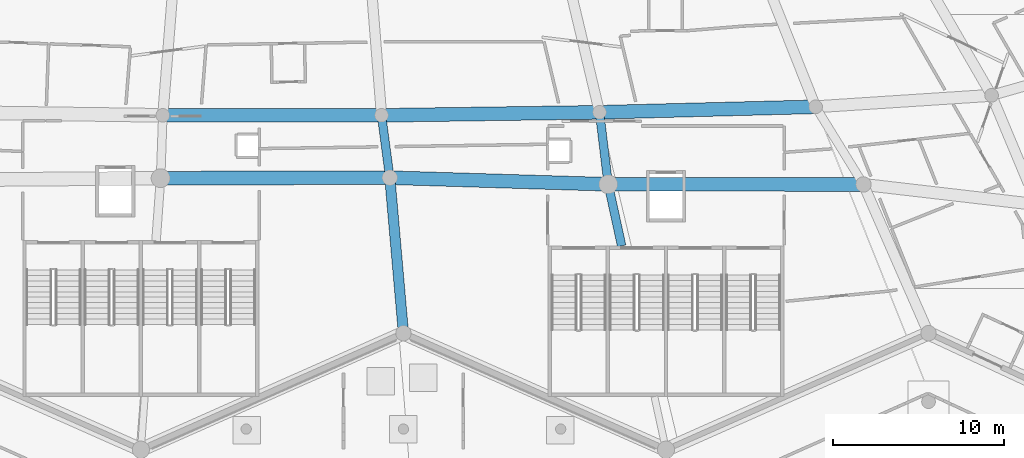
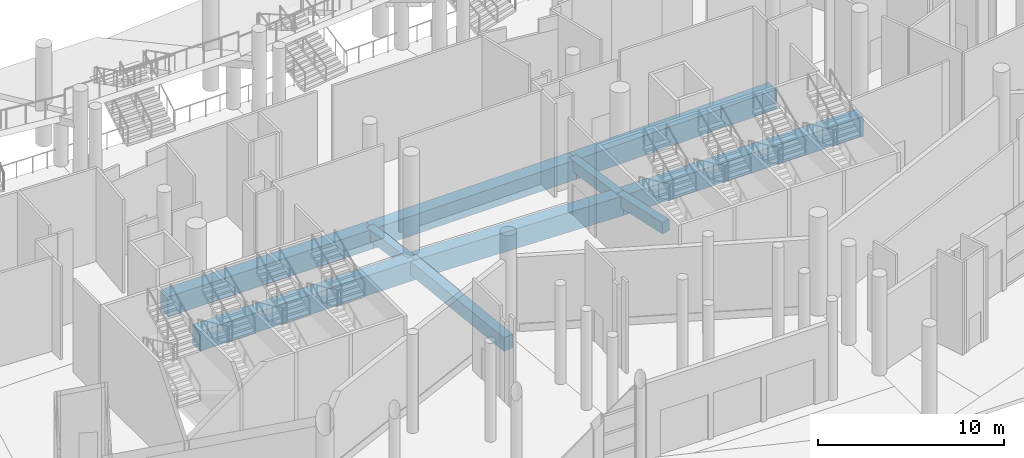
# One storey, part 29 of 255: 10 beams.
"""IFC4 building model written with IfcOpenShell, lengths in metres."""

from ifc_helpers import new_model, si_unit, direction, frame, origin, origin_2d, place, context, subcontext, project, spatial, rectangle, extrude, material, material_profile, profile_set, type_object, element, save


model = new_model("IFC4")

# Units and contexts
model_context = context("Model", 3, precision=1e-05, world=origin(), true_north=direction((0.0, 1.0)))
body_context = subcontext(model_context, "Body", "Model", "MODEL_VIEW")
ifc_project = project(units=[si_unit("LENGTHUNIT", "METRE"), si_unit("AREAUNIT", "SQUARE_METRE"), si_unit("VOLUMEUNIT", "CUBIC_METRE"), si_unit("PLANEANGLEUNIT", "RADIAN"), si_unit("MASSUNIT", "GRAM", prefix="KILO")], contexts=[model_context])

# Site, building, storey
site_placement = place(None, origin())
site = spatial("IfcSite", under=ifc_project, at=site_placement, CompositionType="ELEMENT")
building_placement = place(site_placement, origin())
building = spatial("IfcBuilding", under=site, at=building_placement, Name="Meseta Stadium", CompositionType="ELEMENT")
storey_placement = place(building_placement, origin())
storey = spatial("IfcBuildingStorey", under=building, at=storey_placement, Name="L00", CompositionType="ELEMENT", Elevation=0.0)

# Beams
ifc_material_1 = material(Name="Concrete C40/50", Category="concrete")
ifc_material_profile_1 = material_profile(ifc_material_1, rectangle(XDim=0.5, YDim=0.75, at=origin_2d()), Name="RC 500x750")
ifc_profile_set_1 = profile_set([ifc_material_profile_1], Name="Concrete C40/50")
beam_type_1 = type_object("IfcBeamType", Name="RC beam 500x750", PredefinedType="BEAM", material=ifc_profile_set_1)
beam_1_placement = place(storey_placement, frame((6.386962890625, -85.876708984375, -0.77490234375), z_axis=(0.131671729661, -0.991293375146, 0.0), x_axis=(0.991293375146, 0.131671729661, 0.0)))
element("IfcBeam", 1, at=beam_1_placement, inside=storey, type_object=beam_type_1, Name="L00 radial beam frame 47 line E to P", PredefinedType="BEAM", context=body_context, shape_type="SweptSolid", body=[
    extrude(rectangle(XDim=0.5, YDim=0.75, at=origin_2d()), origin(), (0.0, 0.0, 1.0), 3.673095703125),
])
beam_2_placement = place(storey_placement, frame((19.11865234375, -85.6982421875, -0.77490234375), z_axis=(0.120104176055, -0.992761294015, 0.0), x_axis=(0.992761294015, 0.120104176055, 0.0)))
element("IfcBeam", 2, at=beam_2_placement, inside=storey, type_object=beam_type_1, Name="L00 radial beam frame 48 line E to P", PredefinedType="BEAM", context=body_context, shape_type="SweptSolid", body=[
    extrude(rectangle(XDim=0.5, YDim=0.75, at=origin_2d()), origin(), (0.0, 0.0, 1.0), 4.236328125),
])
beam_3_placement = place(storey_placement, frame((19.62744140625, -89.90380859375, -0.77490234375), z_axis=(0.212671990307, -0.977123648541, 0.0), x_axis=(0.977123648541, 0.212671990307, 0.0)))
element("IfcBeam", 3, at=beam_3_placement, inside=storey, type_object=beam_type_1, Name="L00 radial beam frame 48 line P to R", PredefinedType="BEAM", context=body_context, shape_type="SweptSolid", body=[
    extrude(rectangle(XDim=0.5, YDim=0.75, at=origin_2d()), origin(), (0.0, 0.0, 1.0), 3.680419921875),
])
ifc_material_2 = material(Name="Concrete C40/50", Category="concrete")
ifc_material_profile_2 = material_profile(ifc_material_2, rectangle(XDim=0.60009765625, YDim=0.89990234375, at=origin_2d()), Name="RC 600x900")
ifc_profile_set_2 = profile_set([ifc_material_profile_2], Name="Concrete C40/50")
beam_type_2 = type_object("IfcBeamType", Name="RC beam 600x900", PredefinedType="BEAM", material=ifc_profile_set_2)
beam_4_placement = place(storey_placement, frame((6.87060546875, -89.517822265625, -0.85009765625), z_axis=(0.087324072983, -0.996179956774, 0.0), x_axis=(0.996179956774, 0.087324072983, 0.0)))
element("IfcBeam", 4, at=beam_4_placement, inside=storey, type_object=beam_type_2, Name="L00 radial beam frame 47 line P to R", PredefinedType="BEAM", context=body_context, shape_type="SweptSolid", body=[
    extrude(rectangle(XDim=0.60009765625, YDim=0.89990234375, at=origin_2d()), origin(), (0.0, 0.0, 1.0), 9.1171875),
])
ifc_material_3 = material(Name="Concrete C40/50", Category="concrete")
ifc_material_profile_3 = material_profile(ifc_material_3, rectangle(XDim=0.800048828125, YDim=1.300048828125, at=origin_2d()), Name="RC 800x1300")
ifc_profile_set_3 = profile_set([ifc_material_profile_3], Name="Concrete C40/50")
beam_type_3 = type_object("IfcBeamType", Name="RC beam 800x1300", PredefinedType="BEAM", material=ifc_profile_set_3)
beam_5_placement = place(storey_placement, frame((-6.386962890625, -85.876708984375, -1.050048828125), z_axis=(1.0, 0.0, 0.0), x_axis=(0.0, 1.0, 0.0)))
element("IfcBeam", 5, at=beam_5_placement, inside=storey, type_object=beam_type_3, Name="L00 ring beam frame 46 line E", PredefinedType="BEAM", context=body_context, shape_type="SweptSolid", body=[
    extrude(rectangle(XDim=0.800048828125, YDim=1.300048828125, at=origin_2d()), origin(), (0.0, 0.0, 1.0), 12.77392578125),
])
beam_6_placement = place(storey_placement, frame((-6.51708984375, -89.54638671875, -1.050048828125), z_axis=(0.999997723809, 0.002133629982, 0.0), x_axis=(-0.002133629982, 0.999997723809, 0.0)))
element("IfcBeam", 6, at=beam_6_placement, inside=storey, type_object=beam_type_3, Name="L00 ring beam frame 46 line P", PredefinedType="BEAM", context=body_context, shape_type="SweptSolid", body=[
    extrude(rectangle(XDim=0.800048828125, YDim=1.300048828125, at=origin_2d()), origin(), (0.0, 0.0, 1.0), 13.3876953125),
])
beam_7_placement = place(storey_placement, frame((6.386962890625, -85.876708984375, -1.050048828125), z_axis=(0.999901768948, 0.014016149746, 0.0), x_axis=(-0.014016149746, 0.999901768948, 0.0)))
element("IfcBeam", 7, at=beam_7_placement, inside=storey, type_object=beam_type_3, Name="L00 ring beam frame 47 line E", PredefinedType="BEAM", context=body_context, shape_type="SweptSolid", body=[
    extrude(rectangle(XDim=0.800048828125, YDim=1.300048828125, at=origin_2d()), origin(), (0.0, 0.0, 1.0), 12.73291015625),
])
beam_8_placement = place(storey_placement, frame((6.87060546875, -89.517822265625, -1.050048828125), z_axis=(0.999542564532, -0.030243374311, 0.0), x_axis=(0.030243374311, 0.999542564532, 0.0)))
element("IfcBeam", 8, at=beam_8_placement, inside=storey, type_object=beam_type_3, Name="L00 ring beam frame 47 line P", PredefinedType="BEAM", context=body_context, shape_type="SweptSolid", body=[
    extrude(rectangle(XDim=0.800048828125, YDim=1.300048828125, at=origin_2d()), origin(), (0.0, 0.0, 1.0), 12.7626953125),
])
beam_9_placement = place(storey_placement, frame((19.11865234375, -85.6982421875, -1.050048828125), z_axis=(0.999675497622, 0.02547350496, 0.0), x_axis=(-0.02547350496, 0.999675497622, 0.0)))
element("IfcBeam", 9, at=beam_9_placement, inside=storey, type_object=beam_type_3, Name="L00 ring beam frame 48 line E", PredefinedType="BEAM", context=body_context, shape_type="SweptSolid", body=[
    extrude(rectangle(XDim=0.800048828125, YDim=1.300048828125, at=origin_2d()), origin(), (0.0, 0.0, 1.0), 12.622314453125),
])
beam_10_placement = place(storey_placement, frame((19.62744140625, -89.90380859375, -1.050048828125), z_axis=(0.999999853879, -0.000540593591, 0.0), x_axis=(0.000540593591, 0.999999853879, 0.0)))
element("IfcBeam", 10, at=beam_10_placement, inside=storey, type_object=beam_type_3, Name="L00 ring beam frame 48 line P", PredefinedType="BEAM", context=body_context, shape_type="SweptSolid", body=[
    extrude(rectangle(XDim=0.800048828125, YDim=1.300048828125, at=origin_2d()), origin(), (0.0, 0.0, 1.0), 14.9033203125),
])

save(model, "model.ifc")
